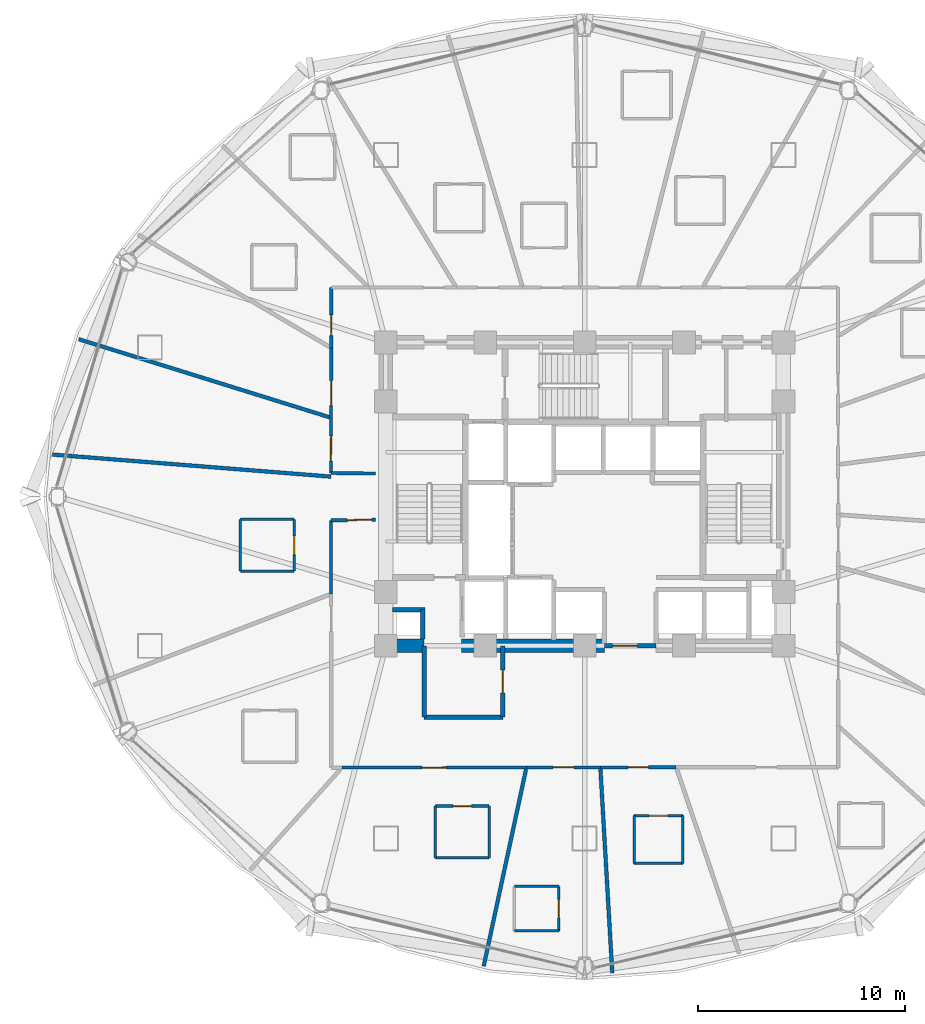
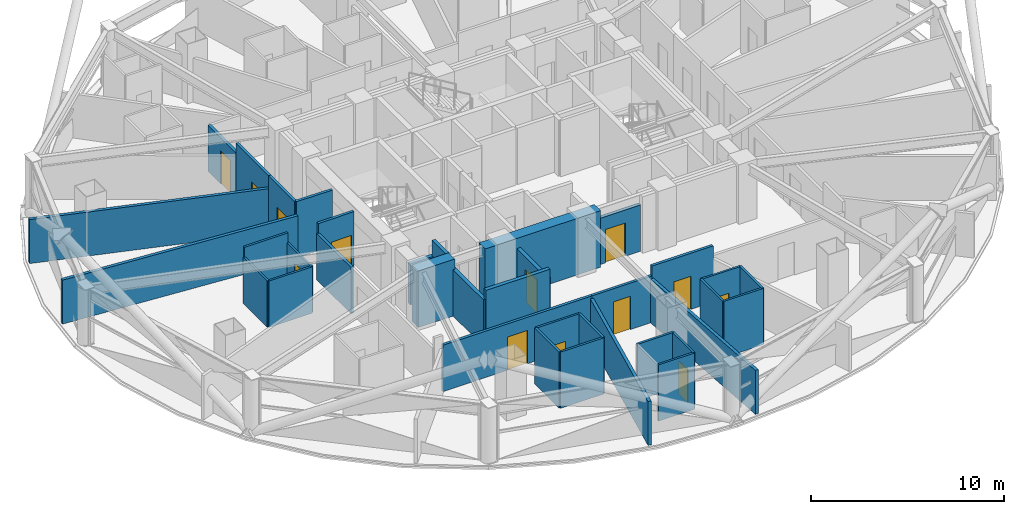
# One storey, part 23 of 31: 36 walls, 13 doors, 13 openings.
"""IFC4 building model written with IfcOpenShell, lengths in metres."""

from ifc_helpers import new_model, si_unit, direction, frame, frame_2d, origin, place, context, subcontext, project, spatial, rectangle, extrude, material, layer, layer_set, type_object, element, fill, save


model = new_model("IFC4")

# Units and contexts
model_context = context("Model", 3, precision=1e-05, world=origin(), true_north=direction((0.0, 1.0)))
body_context = subcontext(model_context, "Body", "Model", "MODEL_VIEW")
ifc_project = project(units=[si_unit("LENGTHUNIT", "METRE"), si_unit("AREAUNIT", "SQUARE_METRE"), si_unit("VOLUMEUNIT", "CUBIC_METRE"), si_unit("PLANEANGLEUNIT", "RADIAN"), si_unit("MASSUNIT", "GRAM", prefix="KILO")], contexts=[model_context])

# Site, building, storey
site_placement = place(None, origin())
site = spatial("IfcSite", under=ifc_project, at=site_placement, CompositionType="ELEMENT")
building_placement = place(site_placement, origin())
building = spatial("IfcBuilding", under=site, at=building_placement, Name="Vantalir Tower", CompositionType="ELEMENT")
storey_placement = place(building_placement, frame((0.0, 0.0, 34.5)))
storey = spatial("IfcBuildingStorey", under=building, at=storey_placement, Name="L07", CompositionType="ELEMENT", Elevation=34.5)

# Walls
ifc_material_1 = material(Name="Moisture-resistant en-suite partition", Category="gypsum")
ifc_layer_1 = layer(ifc_material_1, 0.125)
ifc_layer_set_1 = layer_set([ifc_layer_1], Name="Moisture-resistant en-suite partition")
wall_type_1 = type_object("IfcWallType", Name="WL-BATH-125", PredefinedType="PARTITIONING", material=ifc_layer_set_1)
wall_1_placement = place(storey_placement, frame((14.8759765625, 21.406982421875, 0.0), z_axis=(0.0, 0.0, 1.0), x_axis=(1.0, 0.0, 0.0)))
element("IfcWall", 1, at=wall_1_placement, inside=storey, type_object=wall_type_1, Name="L07 En-suite 13 South Wall", PredefinedType="PARTITIONING", context=body_context, shape_type="SweptSolid", body=[
    extrude(rectangle(XDim=2.60009765625, YDim=0.125, at=frame_2d((1.300048828125, 0.0))), origin(), (0.0, 0.0, 1.0), 2.927978515625),
])
wall_2_placement = place(storey_placement, frame((14.8759765625, 23.906982421875, 0.0), z_axis=(0.0, 0.0, 1.0), x_axis=(1.0, 0.0, 0.0)))
element("IfcWall", 2, at=wall_2_placement, inside=storey, type_object=wall_type_1, Name="L07 En-suite 13 North Wall", PredefinedType="PARTITIONING", context=body_context, shape_type="SweptSolid", body=[
    extrude(rectangle(XDim=2.60009765625, YDim=0.125, at=frame_2d((1.300048828125, 0.0))), origin(), (0.0, 0.0, 1.0), 3.550048828125),
])
wall_3_placement = place(storey_placement, frame((14.8759765625, 21.406982421875, 0.0), z_axis=(0.0, 0.0, 1.0), x_axis=(0.0, 1.0, 0.0)))
element("IfcWall", 3, at=wall_3_placement, inside=storey, type_object=wall_type_1, Name="L07 En-suite 13 West Wall", PredefinedType="PARTITIONING", context=body_context, shape_type="SweptSolid", body=[
    extrude(rectangle(XDim=2.5, YDim=0.125, at=frame_2d((1.25, 0.0))), origin(), (0.0, 0.0, 1.0), 2.927978515625),
])

# Wall, opening, door
wall_4_placement = place(storey_placement, frame((17.47607421875, 21.406982421875, 0.0), z_axis=(0.0, 0.0, 1.0), x_axis=(0.0, 1.0, 0.0)))
wall_4 = element("IfcWall", 4, at=wall_4_placement, inside=storey, type_object=wall_type_1, Name="L07 En-suite 13 East Wall", PredefinedType="PARTITIONING", context=body_context, shape_type="SweptSolid", body=[
    extrude(rectangle(XDim=2.5, YDim=0.125, at=frame_2d((1.25, 0.0))), origin(), (0.0, 0.0, 1.0), 2.927978515625),
])
opening_1_placement = place(wall_4_placement, frame((0.800048828125, 0.0, 0.0)))
opening_1 = element("IfcOpeningElement", 5, at=opening_1_placement, cuts=wall_4, Name="Opening D-WC", PredefinedType="OPENING", context=body_context, shape_type="SweptSolid", body=[
    extrude(rectangle(XDim=0.89990234375, YDim=2.10009765625, at=frame_2d((0.449951171875, 1.050048828125))), frame((0.0, 0.072509765625, 0.0), z_axis=(0.0, -1.0, 0.0), x_axis=(1.0, 0.0, 0.0)), (0.0, 0.0, 1.0), 0.14501953125),
])
ifc_material_2 = material(Name="Moisture-resistant hardwood door", Category="wood")
door_type_1 = type_object("IfcDoorType", Name="DR-ENSUITE-900", OperationType="NOTDEFINED", PredefinedType="DOOR", material=ifc_material_2)
door_1_placement = place(opening_1_placement, origin())
door_1 = element("IfcDoor", 6, at=door_1_placement, inside=storey, type_object=door_type_1, Name="L07 En-suite 13 Door", OperationType="SINGLE_SWING_LEFT", OverallHeight=2.10009765625, OverallWidth=0.89990234375, PredefinedType="DOOR", context=body_context, shape_type="SweptSolid", body=[
    extrude(rectangle(XDim=0.89990234375, YDim=2.10009765625, at=frame_2d((0.449951171875, 1.050048828125))), frame((0.0, 0.02490234375, 0.0), z_axis=(0.0, -1.0, 0.0), x_axis=(1.0, 0.0, 0.0)), (0.0, 0.0, 1.0), 0.050048828125),
])
fill(opening_1, door_1)

# Wall
wall_5_placement = place(storey_placement, frame((24.291015625, 7.56103515625, 0.0), z_axis=(0.0, 0.0, 1.0), x_axis=(1.0, 0.0, 0.0)))
element("IfcWall", 7, at=wall_5_placement, inside=storey, type_object=wall_type_1, Name="L07 En-suite 15 South Wall", PredefinedType="PARTITIONING", context=body_context, shape_type="SweptSolid", body=[
    extrude(rectangle(XDim=2.60009765625, YDim=0.125, at=frame_2d((1.300048828125, 0.0))), origin(), (0.0, 0.0, 1.0), 3.550048828125),
])

# Wall, opening, door
wall_6_placement = place(storey_placement, frame((24.291015625, 10.06103515625, 0.0), z_axis=(0.0, 0.0, 1.0), x_axis=(1.0, 0.0, 0.0)))
wall_6 = element("IfcWall", 8, at=wall_6_placement, inside=storey, type_object=wall_type_1, Name="L07 En-suite 15 North Wall", PredefinedType="PARTITIONING", context=body_context, shape_type="SweptSolid", body=[
    extrude(rectangle(XDim=2.60009765625, YDim=0.125, at=frame_2d((1.300048828125, 0.0))), origin(), (0.0, 0.0, 1.0), 3.550048828125),
])
opening_2_placement = place(wall_6_placement, frame((0.85009765625, 0.0, 0.0)))
opening_2 = element("IfcOpeningElement", 9, at=opening_2_placement, cuts=wall_6, Name="Opening D-WC", PredefinedType="OPENING", context=body_context, shape_type="SweptSolid", body=[
    extrude(rectangle(XDim=0.89990234375, YDim=2.10009765625, at=frame_2d((0.449951171875, 1.050048828125))), frame((0.0, 0.072509765625, 0.0), z_axis=(0.0, -1.0, 0.0), x_axis=(1.0, 0.0, 0.0)), (0.0, 0.0, 1.0), 0.14501953125),
])
door_2_placement = place(opening_2_placement, frame((0.89990234375, 0.0, 0.0), z_axis=(0.0, 0.0, 1.0), x_axis=(-1.0, 0.0, 0.0)))
door_2 = element("IfcDoor", 10, at=door_2_placement, inside=storey, type_object=door_type_1, Name="L07 En-suite 15 Door", OperationType="SINGLE_SWING_LEFT", OverallHeight=2.10009765625, OverallWidth=0.89990234375, PredefinedType="DOOR", context=body_context, shape_type="SweptSolid", body=[
    extrude(rectangle(XDim=0.89990234375, YDim=2.10009765625, at=frame_2d((0.449951171875, 1.050048828125))), frame((0.0, 0.02490234375, 0.0), z_axis=(0.0, -1.0, 0.0), x_axis=(1.0, 0.0, 0.0)), (0.0, 0.0, 1.0), 0.050048828125),
])
fill(opening_2, door_2)

# Walls
for number, where, z_axis, x_axis, name in (
    (11, (24.291015625, 7.56103515625, 0.0), (0.0, 0.0, 1.0), (0.0, 1.0, 0.0), "L07 En-suite 15 West Wall"),
    (12, (26.89111328125, 7.56103515625, 0.0), (0.0, 0.0, 1.0), (0.0, 1.0, 0.0), "L07 En-suite 15 East Wall"),
):
    element("IfcWall", number, at=place(storey_placement, frame(where, z_axis=z_axis, x_axis=x_axis)), inside=storey, type_object=wall_type_1, Name=name, PredefinedType="PARTITIONING", context=body_context, shape_type="SweptSolid", body=[
        extrude(rectangle(XDim=2.5, YDim=0.125, at=frame_2d((1.25, 0.0))), origin(), (0.0, 0.0, 1.0), 3.550048828125),
    ])
for number, where, z_axis, x_axis, name in (
    (13, (28.10009765625, 4.030029296875, 0.0), (0.0, 0.0, 1.0), (1.0, 0.0, 0.0), "L07 En-suite 16 South Wall"),
    (14, (28.10009765625, 6.179931640625, 0.0), (0.0, 0.0, 1.0), (1.0, 0.0, 0.0), "L07 En-suite 16 North Wall"),
):
    element("IfcWall", number, at=place(storey_placement, frame(where, z_axis=z_axis, x_axis=x_axis)), inside=storey, type_object=wall_type_1, Name=name, PredefinedType="PARTITIONING", context=body_context, shape_type="SweptSolid", body=[
        extrude(rectangle(XDim=2.14990234375, YDim=0.125, at=frame_2d((1.074951171875, 0.0))), origin(), (0.0, 0.0, 1.0), 3.550048828125),
    ])

# Wall, opening, door
wall_7_placement = place(storey_placement, frame((30.25, 4.030029296875, 0.0), z_axis=(0.0, 0.0, 1.0), x_axis=(0.0, 1.0, 0.0)))
wall_7 = element("IfcWall", 15, at=wall_7_placement, inside=storey, type_object=wall_type_1, Name="L07 En-suite 16 East Wall", PredefinedType="PARTITIONING", context=body_context, shape_type="SweptSolid", body=[
    extrude(rectangle(XDim=2.14990234375, YDim=0.125, at=frame_2d((1.074951171875, 0.0))), origin(), (0.0, 0.0, 1.0), 3.550048828125),
])
opening_3_placement = place(wall_7_placement, frame((0.625, 0.0, 0.0)))
opening_3 = element("IfcOpeningElement", 16, at=opening_3_placement, cuts=wall_7, Name="Opening D-WC", PredefinedType="OPENING", context=body_context, shape_type="SweptSolid", body=[
    extrude(rectangle(XDim=0.89990234375, YDim=2.10009765625, at=frame_2d((0.449951171875, 1.050048828125))), frame((0.0, 0.072509765625, 0.0), z_axis=(0.0, -1.0, 0.0), x_axis=(1.0, 0.0, 0.0)), (0.0, 0.0, 1.0), 0.14501953125),
])
door_3_placement = place(opening_3_placement, origin())
door_3 = element("IfcDoor", 17, at=door_3_placement, inside=storey, type_object=door_type_1, Name="L07 En-suite 16 Door", OperationType="SINGLE_SWING_RIGHT", OverallHeight=2.10009765625, OverallWidth=0.89990234375, PredefinedType="DOOR", context=body_context, shape_type="SweptSolid", body=[
    extrude(rectangle(XDim=0.89990234375, YDim=2.10009765625, at=frame_2d((0.449951171875, 1.050048828125))), frame((0.0, 0.02490234375, 0.0), z_axis=(0.0, -1.0, 0.0), x_axis=(1.0, 0.0, 0.0)), (0.0, 0.0, 1.0), 0.050048828125),
])
fill(opening_3, door_3)

# Wall
wall_8_placement = place(storey_placement, frame((33.889892578125, 7.29296875, 0.0), z_axis=(0.0, 0.0, 1.0), x_axis=(1.0, 0.0, 0.0)))
element("IfcWall", 18, at=wall_8_placement, inside=storey, type_object=wall_type_1, Name="L07 En-suite 17 South Wall", PredefinedType="PARTITIONING", context=body_context, shape_type="SweptSolid", body=[
    extrude(rectangle(XDim=2.35009765625, YDim=0.125, at=frame_2d((1.175048828125, 0.0))), origin(), (0.0, 0.0, 1.0), 3.550048828125),
])

# Wall, opening, door
wall_9_placement = place(storey_placement, frame((33.889892578125, 9.593017578125, 0.0), z_axis=(0.0, 0.0, 1.0), x_axis=(1.0, 0.0, 0.0)))
wall_9 = element("IfcWall", 19, at=wall_9_placement, inside=storey, type_object=wall_type_1, Name="L07 En-suite 17 North Wall", PredefinedType="PARTITIONING", context=body_context, shape_type="SweptSolid", body=[
    extrude(rectangle(XDim=2.35009765625, YDim=0.125, at=frame_2d((1.175048828125, 0.0))), origin(), (0.0, 0.0, 1.0), 3.550048828125),
])
opening_4_placement = place(wall_9_placement, frame((0.72509765625, 0.0, 0.0)))
opening_4 = element("IfcOpeningElement", 20, at=opening_4_placement, cuts=wall_9, Name="Opening D-WC", PredefinedType="OPENING", context=body_context, shape_type="SweptSolid", body=[
    extrude(rectangle(XDim=0.89990234375, YDim=2.10009765625, at=frame_2d((0.449951171875, 1.050048828125))), frame((0.0, 0.072509765625, 0.0), z_axis=(0.0, -1.0, 0.0), x_axis=(1.0, 0.0, 0.0)), (0.0, 0.0, 1.0), 0.14501953125),
])
door_4_placement = place(opening_4_placement, frame((0.89990234375, 0.0, 0.0), z_axis=(0.0, 0.0, 1.0), x_axis=(-1.0, 0.0, 0.0)))
door_4 = element("IfcDoor", 21, at=door_4_placement, inside=storey, type_object=door_type_1, Name="L07 En-suite 17 Door", OperationType="SINGLE_SWING_LEFT", OverallHeight=2.10009765625, OverallWidth=0.89990234375, PredefinedType="DOOR", context=body_context, shape_type="SweptSolid", body=[
    extrude(rectangle(XDim=0.89990234375, YDim=2.10009765625, at=frame_2d((0.449951171875, 1.050048828125))), frame((0.0, 0.02490234375, 0.0), z_axis=(0.0, -1.0, 0.0), x_axis=(1.0, 0.0, 0.0)), (0.0, 0.0, 1.0), 0.050048828125),
])
fill(opening_4, door_4)

# Walls
for number, where, z_axis, x_axis, name in (
    (22, (33.889892578125, 7.29296875, 0.0), (0.0, 0.0, 1.0), (0.0, 1.0, 0.0), "L07 En-suite 17 West Wall"),
    (23, (36.239990234375, 7.29296875, 0.0), (0.0, 0.0, 1.0), (0.0, 1.0, 0.0), "L07 En-suite 17 East Wall"),
):
    element("IfcWall", number, at=place(storey_placement, frame(where, z_axis=z_axis, x_axis=x_axis)), inside=storey, type_object=wall_type_1, Name=name, PredefinedType="PARTITIONING", context=body_context, shape_type="SweptSolid", body=[
        extrude(rectangle(XDim=2.300048828125, YDim=0.125, at=frame_2d((1.14990234375, 0.0))), origin(), (0.0, 0.0, 1.0), 3.550048828125),
    ])
ifc_material_3 = material(Name="Concrete C60/75", Category="concrete")
ifc_layer_2 = layer(ifc_material_3, 0.64990234375)
ifc_layer_set_2 = layer_set([ifc_layer_2], Name="Concrete C60/75")
wall_type_2 = type_object("IfcWallType", Name="WL-CORE-650", PredefinedType="SHEAR", material=ifc_layer_set_2)
wall_10_placement = place(storey_placement, frame((21.574951171875, 17.800048828125, 0.0), z_axis=(0.0, 0.0, 1.0), x_axis=(1.0, 0.0, 0.0)))
element("IfcWall", 24, at=wall_10_placement, inside=storey, type_object=wall_type_2, Name="L07 Core Shear Wall South-West", PredefinedType="SHEAR", context=body_context, shape_type="SweptSolid", body=[
    extrude(rectangle(XDim=2.175048828125, YDim=0.64990234375, at=frame_2d((1.08740234375, 0.0))), origin(), (0.0, 0.0, 1.0), 3.570068359375),
])
wall_11_placement = place(storey_placement, frame((25.550048828125, 17.800048828125, 0.0), z_axis=(0.0, 0.0, 1.0), x_axis=(1.0, 0.0, 0.0)))
element("IfcWall", 25, at=wall_11_placement, inside=storey, type_object=wall_type_2, Name="L07 Core Shear Wall South-Mid", PredefinedType="SHEAR", context=body_context, shape_type="SweptSolid", body=[
    extrude(rectangle(XDim=6.89990234375, YDim=0.64990234375, at=frame_2d((3.449951171875, 0.0))), origin(), (0.0, 0.0, 1.0), 3.570068359375),
])
ifc_material_4 = material(Name="Fire-rated hotel corridor acoustic partition", Category="gypsum")
ifc_layer_3 = layer(ifc_material_4, 0.159912109375)
ifc_layer_set_3 = layer_set([ifc_layer_3], Name="Fire-rated hotel corridor acoustic partition")
wall_type_3 = type_object("IfcWallType", Name="WL-CORR-160", PredefinedType="PARTITIONING", material=ifc_layer_set_3)
wall_12_placement = place(storey_placement, frame((21.39501953125, 26.116943359375, 0.0), z_axis=(0.0, 0.0, 1.0), x_axis=(-0.999931415362, 0.011711727972, 0.0)))
element("IfcWall", 26, at=wall_12_placement, inside=storey, type_object=wall_type_3, Name="L07 Corridor Partition 01", PredefinedType="PARTITIONING", context=body_context, shape_type="SweptSolid", body=[
    extrude(rectangle(XDim=2.147216796875, YDim=0.159912109375, at=frame_2d((1.07373046875, 0.0))), origin(), (0.0, 0.0, 1.0), 3.550048828125),
])

# Wall, opening, door
wall_13_placement = place(storey_placement, frame((19.248046875, 26.14208984375, 0.0), z_axis=(0.0, 0.0, 1.0), x_axis=(0.002195384391, 0.999997590141, 0.0)))
wall_13 = element("IfcWall", 27, at=wall_13_placement, inside=storey, type_object=wall_type_3, Name="L07 Corridor Partition 02", PredefinedType="PARTITIONING", context=body_context, shape_type="SweptSolid", body=[
    extrude(rectangle(XDim=2.6689453125, YDim=0.159912109375, at=frame_2d((1.33447265625, 0.0))), origin(), (0.0, 0.0, 1.0), 3.550048828125),
])
opening_5_placement = place(wall_13_placement, frame((0.591064453125, 0.0, 0.0)))
opening_5 = element("IfcOpeningElement", 28, at=opening_5_placement, cuts=wall_13, Name="Opening D-STE", PredefinedType="OPENING", context=body_context, shape_type="SweptSolid", body=[
    extrude(rectangle(XDim=1.199951171875, YDim=2.10009765625, at=frame_2d((0.60009765625, 1.050048828125))), frame((0.0, 0.08984375, 0.0), z_axis=(0.0, -1.0, 0.0), x_axis=(1.0, 0.0, 0.0)), (0.0, 0.0, 1.0), 0.179931640625),
])
ifc_material_5 = material(Name="Solid-core teak veneer suite entrance door", Category="wood")
door_type_2 = type_object("IfcDoorType", Name="DR-SUITE-ENTRY-1200", OperationType="NOTDEFINED", PredefinedType="DOOR", material=ifc_material_5)
door_5_placement = place(opening_5_placement, origin())
door_5 = element("IfcDoor", 29, at=door_5_placement, inside=storey, type_object=door_type_2, Name="L07 Executive Sky Boardroom 12 Door", OperationType="SINGLE_SWING_RIGHT", OverallHeight=2.10009765625, OverallWidth=1.199951171875, PredefinedType="DOOR", context=body_context, shape_type="SweptSolid", body=[
    extrude(rectangle(XDim=1.199951171875, YDim=2.10009765625, at=frame_2d((0.60009765625, 1.050048828125))), frame((0.0, 0.02490234375, 0.0), z_axis=(0.0, -1.0, 0.0), x_axis=(1.0, 0.0, 0.0)), (0.0, 0.0, 1.0), 0.050048828125),
])
fill(opening_5, door_5)

wall_14_placement = place(storey_placement, frame((19.25390625, 28.81103515625, 0.0), z_axis=(0.0, 0.0, 1.0), x_axis=(0.002388528218, 0.999997147462, 0.0)))
wall_14 = element("IfcWall", 30, at=wall_14_placement, inside=storey, type_object=wall_type_3, Name="L07 Corridor Partition 03", PredefinedType="PARTITIONING", context=body_context, shape_type="SweptSolid", body=[
    extrude(rectangle(XDim=3.373046875, YDim=0.159912109375, at=frame_2d((1.6865234375, 0.0))), origin(), (0.0, 0.0, 1.0), 3.550048828125),
])
opening_6_placement = place(wall_14_placement, frame((0.587890625, 0.0, 0.0)))
opening_6 = element("IfcOpeningElement", 31, at=opening_6_placement, cuts=wall_14, Name="Opening D-STE", PredefinedType="OPENING", context=body_context, shape_type="SweptSolid", body=[
    extrude(rectangle(XDim=1.199951171875, YDim=2.10009765625, at=frame_2d((0.60009765625, 1.050048828125))), frame((0.0, 0.08984375, 0.0), z_axis=(0.0, -1.0, 0.0), x_axis=(1.0, 0.0, 0.0)), (0.0, 0.0, 1.0), 0.179931640625),
])
door_6_placement = place(opening_6_placement, origin())
door_6 = element("IfcDoor", 32, at=door_6_placement, inside=storey, type_object=door_type_2, Name="L07 Club Reading Lounge 11 Door", OperationType="SINGLE_SWING_LEFT", OverallHeight=2.10009765625, OverallWidth=1.199951171875, PredefinedType="DOOR", context=body_context, shape_type="SweptSolid", body=[
    extrude(rectangle(XDim=1.199951171875, YDim=2.10009765625, at=frame_2d((0.60009765625, 1.050048828125))), frame((0.0, 0.02490234375, 0.0), z_axis=(0.0, -1.0, 0.0), x_axis=(1.0, 0.0, 0.0)), (0.0, 0.0, 1.0), 0.050048828125),
])
fill(opening_6, door_6)

wall_15_placement = place(storey_placement, frame((19.261962890625, 32.18408203125, 0.0), z_axis=(0.0, 0.0, 1.0), x_axis=(0.002429821063, 0.99999704798, 0.0)))
wall_15 = element("IfcWall", 33, at=wall_15_placement, inside=storey, type_object=wall_type_3, Name="L07 Corridor Partition 04", PredefinedType="PARTITIONING", context=body_context, shape_type="SweptSolid", body=[
    extrude(rectangle(XDim=2.913818359375, YDim=0.159912109375, at=frame_2d((1.45703125, 0.0))), origin(), (0.0, 0.0, 1.0), 2.927978515625),
])
opening_7_placement = place(wall_15_placement, frame((0.594970703125, 0.0, 0.0)))
opening_7 = element("IfcOpeningElement", 34, at=opening_7_placement, cuts=wall_15, Name="Opening D-GUEST", PredefinedType="OPENING", context=body_context, shape_type="SweptSolid", body=[
    extrude(rectangle(XDim=1.0, YDim=2.10009765625, at=frame_2d((0.5, 1.050048828125))), frame((0.0, 0.08984375, 0.0), z_axis=(0.0, -1.0, 0.0), x_axis=(1.0, 0.0, 0.0)), (0.0, 0.0, 1.0), 0.179931640625),
])
ifc_material_6 = material(Name="Solid-core teak veneer acoustic fire door", Category="wood")
door_type_3 = type_object("IfcDoorType", Name="DR-GUEST-ENTRY-1000", OperationType="NOTDEFINED", PredefinedType="DOOR", material=ifc_material_6)
door_7_placement = place(opening_7_placement, origin())
door_7 = element("IfcDoor", 35, at=door_7_placement, inside=storey, type_object=door_type_3, Name="L07 Deluxe King Hotel Room 10 Door", OperationType="SINGLE_SWING_RIGHT", OverallHeight=2.10009765625, OverallWidth=1.0, PredefinedType="DOOR", context=body_context, shape_type="SweptSolid", body=[
    extrude(rectangle(XDim=1.0, YDim=2.10009765625, at=frame_2d((0.5, 1.050048828125))), frame((0.0, 0.02490234375, 0.0), z_axis=(0.0, -1.0, 0.0), x_axis=(1.0, 0.0, 0.0)), (0.0, 0.0, 1.0), 0.050048828125),
])
fill(opening_7, door_7)

wall_16_placement = place(storey_placement, frame((35.9208984375, 11.927978515625, 0.0), z_axis=(0.0, 0.0, 1.0), x_axis=(-0.999999857835, -0.000533226612, 0.0)))
wall_16 = element("IfcWall", 36, at=wall_16_placement, inside=storey, type_object=wall_type_3, Name="L07 Corridor Partition 22", PredefinedType="PARTITIONING", context=body_context, shape_type="SweptSolid", body=[
    extrude(rectangle(XDim=3.662841796875, YDim=0.159912109375, at=frame_2d((1.83154296875, 0.0))), origin(), (0.0, 0.0, 1.0), 3.550048828125),
])
opening_8_placement = place(wall_16_placement, frame((1.33203125, 0.0, 0.0)))
opening_8 = element("IfcOpeningElement", 37, at=opening_8_placement, cuts=wall_16, Name="Opening D-GUEST", PredefinedType="OPENING", context=body_context, shape_type="SweptSolid", body=[
    extrude(rectangle(XDim=1.0, YDim=2.10009765625, at=frame_2d((0.5, 1.050048828125))), frame((0.0, 0.08984375, 0.0), z_axis=(0.0, -1.0, 0.0), x_axis=(1.0, 0.0, 0.0)), (0.0, 0.0, 1.0), 0.179931640625),
])
door_8_placement = place(opening_8_placement, origin())
door_8 = element("IfcDoor", 38, at=door_8_placement, inside=storey, type_object=door_type_3, Name="L07 Twin Queen Hotel Room 17 Door", OperationType="SINGLE_SWING_LEFT", OverallHeight=2.10009765625, OverallWidth=1.0, PredefinedType="DOOR", context=body_context, shape_type="SweptSolid", body=[
    extrude(rectangle(XDim=1.0, YDim=2.10009765625, at=frame_2d((0.5, 1.050048828125))), frame((0.0, 0.02490234375, 0.0), z_axis=(0.0, -1.0, 0.0), x_axis=(1.0, 0.0, 0.0)), (0.0, 0.0, 1.0), 0.050048828125),
])
fill(opening_8, door_8)

wall_17_placement = place(storey_placement, frame((32.258056640625, 11.926025390625, 0.0), z_axis=(0.0, 0.0, 1.0), x_axis=(-0.99999985035, -0.00054708328, 0.0)))
wall_17 = element("IfcWall", 39, at=wall_17_placement, inside=storey, type_object=wall_type_3, Name="L07 Corridor Partition 23", PredefinedType="PARTITIONING", context=body_context, shape_type="SweptSolid", body=[
    extrude(rectangle(XDim=3.570068359375, YDim=0.159912109375, at=frame_2d((1.78515625, 0.0))), origin(), (0.0, 0.0, 1.0), 2.927978515625),
])
opening_9_placement = place(wall_17_placement, frame((1.284912109375, 0.0, 0.0)))
opening_9 = element("IfcOpeningElement", 40, at=opening_9_placement, cuts=wall_17, Name="Opening D-GUEST", PredefinedType="OPENING", context=body_context, shape_type="SweptSolid", body=[
    extrude(rectangle(XDim=1.0, YDim=2.10009765625, at=frame_2d((0.5, 1.050048828125))), frame((0.0, 0.08984375, 0.0), z_axis=(0.0, -1.0, 0.0), x_axis=(1.0, 0.0, 0.0)), (0.0, 0.0, 1.0), 0.179931640625),
])
door_9_placement = place(opening_9_placement, origin())
door_9 = element("IfcDoor", 41, at=door_9_placement, inside=storey, type_object=door_type_3, Name="L07 Deluxe King Hotel Room 16 Door", OperationType="SINGLE_SWING_RIGHT", OverallHeight=2.10009765625, OverallWidth=1.0, PredefinedType="DOOR", context=body_context, shape_type="SweptSolid", body=[
    extrude(rectangle(XDim=1.0, YDim=2.10009765625, at=frame_2d((0.5, 1.050048828125))), frame((0.0, 0.02490234375, 0.0), z_axis=(0.0, -1.0, 0.0), x_axis=(1.0, 0.0, 0.0)), (0.0, 0.0, 1.0), 0.050048828125),
])
fill(opening_9, door_9)

wall_18_placement = place(storey_placement, frame((28.68798828125, 11.924072265625, 0.0), z_axis=(0.0, 0.0, 1.0), x_axis=(-0.999999765267, -0.000685175381, 0.0)))
wall_18 = element("IfcWall", 42, at=wall_18_placement, inside=storey, type_object=wall_type_3, Name="L07 Corridor Partition 24", PredefinedType="PARTITIONING", context=body_context, shape_type="SweptSolid", body=[
    extrude(rectangle(XDim=8.907958984375, YDim=0.159912109375, at=frame_2d((4.4541015625, 0.0))), origin(), (0.0, 0.0, 1.0), 2.927978515625),
])
opening_10_placement = place(wall_18_placement, frame((3.85400390625, 0.0, 0.0)))
opening_10 = element("IfcOpeningElement", 43, at=opening_10_placement, cuts=wall_18, Name="Opening D-STE", PredefinedType="OPENING", context=body_context, shape_type="SweptSolid", body=[
    extrude(rectangle(XDim=1.199951171875, YDim=2.10009765625, at=frame_2d((0.60009765625, 1.050048828125))), frame((0.0, 0.08984375, 0.0), z_axis=(0.0, -1.0, 0.0), x_axis=(1.0, 0.0, 0.0)), (0.0, 0.0, 1.0), 0.179931640625),
])
door_10_placement = place(opening_10_placement, origin())
door_10 = element("IfcDoor", 44, at=door_10_placement, inside=storey, type_object=door_type_2, Name="L07 Corner Panorama Hotel Suite 15 Door", OperationType="SINGLE_SWING_LEFT", OverallHeight=2.10009765625, OverallWidth=1.199951171875, PredefinedType="DOOR", context=body_context, shape_type="SweptSolid", body=[
    extrude(rectangle(XDim=1.199951171875, YDim=2.10009765625, at=frame_2d((0.60009765625, 1.050048828125))), frame((0.0, 0.02490234375, 0.0), z_axis=(0.0, -1.0, 0.0), x_axis=(1.0, 0.0, 0.0)), (0.0, 0.0, 1.0), 0.050048828125),
])
fill(opening_10, door_10)

# Wall
wall_19_placement = place(storey_placement, frame((19.25390625, 20.301025390625, 0.0), z_axis=(0.0, 0.0, 1.0), x_axis=(-0.001647331144, 0.999998643149, 0.0)))
element("IfcWall", 45, at=wall_19_placement, inside=storey, type_object=wall_type_3, Name="L07 Corridor Partition 27", PredefinedType="PARTITIONING", context=body_context, shape_type="SweptSolid", body=[
    extrude(rectangle(XDim=3.556884765625, YDim=0.159912109375, at=frame_2d((1.7783203125, 0.0))), origin(), (0.0, 0.0, 1.0), 2.927978515625),
])

# Wall, opening, door
wall_20_placement = place(storey_placement, frame((19.248046875, 23.85791015625, 0.0), z_axis=(0.0, 0.0, 1.0), x_axis=(0.999908455688, 0.013530714831, 0.0)))
wall_20 = element("IfcWall", 46, at=wall_20_placement, inside=storey, type_object=wall_type_3, Name="L07 Corridor Partition 28", PredefinedType="PARTITIONING", context=body_context, shape_type="SweptSolid", body=[
    extrude(rectangle(XDim=2.147216796875, YDim=0.159912109375, at=frame_2d((1.07373046875, 0.0))), origin(), (0.0, 0.0, 1.0), 3.550048828125),
])
opening_11_placement = place(wall_20_placement, frame((0.787109375, 0.0, 0.0)))
opening_11 = element("IfcOpeningElement", 47, at=opening_11_placement, cuts=wall_20, Name="Opening D-STE", PredefinedType="OPENING", context=body_context, shape_type="SweptSolid", body=[
    extrude(rectangle(XDim=1.199951171875, YDim=2.10009765625, at=frame_2d((0.60009765625, 1.050048828125))), frame((0.0, 0.08984375, 0.0), z_axis=(0.0, -1.0, 0.0), x_axis=(1.0, 0.0, 0.0)), (0.0, 0.0, 1.0), 0.179931640625),
])
door_11_placement = place(opening_11_placement, origin())
door_11 = element("IfcDoor", 48, at=door_11_placement, inside=storey, type_object=door_type_2, Name="L07 Corner Panorama Hotel Suite 13 Door", OperationType="SINGLE_SWING_LEFT", OverallHeight=2.10009765625, OverallWidth=1.199951171875, PredefinedType="DOOR", context=body_context, shape_type="SweptSolid", body=[
    extrude(rectangle(XDim=1.199951171875, YDim=2.10009765625, at=frame_2d((0.60009765625, 1.050048828125))), frame((0.0, 0.02490234375, 0.0), z_axis=(0.0, -1.0, 0.0), x_axis=(1.0, 0.0, 0.0)), (0.0, 0.0, 1.0), 0.050048828125),
])
fill(opening_11, door_11)

ifc_material_7 = material(Name="Concrete blockwork with fireboard lining", Category="masonry")
ifc_layer_4 = layer(ifc_material_7, 0.219970703125)
ifc_layer_set_4 = layer_set([ifc_layer_4], Name="Concrete blockwork with fireboard lining")
wall_type_4 = type_object("IfcWallType", Name="WL-FFL-220", PredefinedType="PARTITIONING", material=ifc_layer_set_4)
wall_21_placement = place(storey_placement, frame((32.449951171875, 17.800048828125, 0.0), z_axis=(0.0, 0.0, 1.0), x_axis=(1.0, 0.0, 0.0)))
wall_21 = element("IfcWall", 49, at=wall_21_placement, inside=storey, type_object=wall_type_4, Name="L07 Passenger Lift Lobby South Wall", PredefinedType="PARTITIONING", context=body_context, shape_type="SweptSolid", body=[
    extrude(rectangle(XDim=2.5, YDim=0.219970703125, at=frame_2d((1.25, 0.0))), origin(), (0.0, 0.0, 1.0), 2.927978515625),
])
opening_12_placement = place(wall_21_placement, frame((0.39990234375, 0.0, 0.0)))
opening_12 = element("IfcOpeningElement", 50, at=opening_12_placement, cuts=wall_21, Name="Opening D-STE", PredefinedType="OPENING", context=body_context, shape_type="SweptSolid", body=[
    extrude(rectangle(XDim=1.199951171875, YDim=2.10009765625, at=frame_2d((0.60009765625, 1.050048828125))), frame((0.0, 0.119873046875, 0.0), z_axis=(0.0, -1.0, 0.0), x_axis=(1.0, 0.0, 0.0)), (0.0, 0.0, 1.0), 0.239990234375),
])
door_12_placement = place(opening_12_placement, origin())
door_12 = element("IfcDoor", 51, at=door_12_placement, inside=storey, type_object=door_type_2, Name="L07 Passenger Lift Lobby Concourse Door", OperationType="SINGLE_SWING_RIGHT", OverallHeight=2.10009765625, OverallWidth=1.199951171875, PredefinedType="DOOR", context=body_context, shape_type="SweptSolid", body=[
    extrude(rectangle(XDim=1.199951171875, YDim=2.10009765625, at=frame_2d((0.60009765625, 1.050048828125))), frame((0.0, 0.02490234375, 0.0), z_axis=(0.0, -1.0, 0.0), x_axis=(1.0, 0.0, 0.0)), (0.0, 0.0, 1.0), 0.050048828125),
])
fill(opening_12, door_12)

# Walls
wall_22_placement = place(storey_placement, frame((23.679931640625, 18.125, 0.0), z_axis=(0.0, 0.0, 1.0), x_axis=(0.0, 1.0, 0.0)))
element("IfcWall", 52, at=wall_22_placement, inside=storey, type_object=wall_type_4, Name="L07 West MEP Riser Wall E", PredefinedType="PARTITIONING", context=body_context, shape_type="SweptSolid", body=[
    extrude(rectangle(XDim=1.425048828125, YDim=0.219970703125, at=frame_2d((0.71240234375, 0.0))), origin(), (0.0, 0.0, 1.0), 3.550048828125),
])
wall_23_placement = place(storey_placement, frame((22.22509765625, 19.550048828125, 0.0), z_axis=(0.0, 0.0, 1.0), x_axis=(1.0, 0.0, 0.0)))
element("IfcWall", 53, at=wall_23_placement, inside=storey, type_object=wall_type_4, Name="L07 West MEP Riser Wall N", PredefinedType="PARTITIONING", context=body_context, shape_type="SweptSolid", body=[
    extrude(rectangle(XDim=1.56494140625, YDim=0.219970703125, at=frame_2d((0.782470703125, 0.0))), origin(), (0.0, 0.0, 1.0), 2.594970703125),
])
wall_24_placement = place(storey_placement, frame((23.75, 14.35009765625, 0.0), z_axis=(0.0, 0.0, 1.0), x_axis=(0.0, 1.0, 0.0)))
element("IfcWall", 54, at=wall_24_placement, inside=storey, type_object=wall_type_4, Name="L07 Firefighting Lobby West Outer W", PredefinedType="PARTITIONING", context=body_context, shape_type="SweptSolid", body=[
    extrude(rectangle(XDim=3.449951171875, YDim=0.219970703125, at=frame_2d((1.72509765625, 0.0))), origin(), (0.0, 0.0, 1.0), 2.927978515625),
])
wall_25_placement = place(storey_placement, frame((23.75, 14.35009765625, 0.0), z_axis=(0.0, 0.0, 1.0), x_axis=(1.0, 0.0, 0.0)))
element("IfcWall", 55, at=wall_25_placement, inside=storey, type_object=wall_type_4, Name="L07 Firefighting Lobby West South Wall", PredefinedType="PARTITIONING", context=body_context, shape_type="SweptSolid", body=[
    extrude(rectangle(XDim=3.800048828125, YDim=0.219970703125, at=frame_2d((1.89990234375, 0.0))), origin(), (0.0, 0.0, 1.0), 3.550048828125),
])

# Wall, opening, door
wall_26_placement = place(storey_placement, frame((27.550048828125, 14.35009765625, 0.0), z_axis=(0.0, 0.0, 1.0), x_axis=(0.0, 1.0, 0.0)))
wall_26 = element("IfcWall", 56, at=wall_26_placement, inside=storey, type_object=wall_type_4, Name="L07 Firefighting Lobby West East Wall", PredefinedType="PARTITIONING", context=body_context, shape_type="SweptSolid", body=[
    extrude(rectangle(XDim=3.449951171875, YDim=0.219970703125, at=frame_2d((1.72509765625, 0.0))), origin(), (0.0, 0.0, 1.0), 2.927978515625),
])
opening_13_placement = place(wall_26_placement, frame((1.175048828125, 0.0, 0.0)))
opening_13 = element("IfcOpeningElement", 57, at=opening_13_placement, cuts=wall_26, Name="Opening D-FFL", PredefinedType="OPENING", context=body_context, shape_type="SweptSolid", body=[
    extrude(rectangle(XDim=1.10009765625, YDim=2.10009765625, at=frame_2d((0.550048828125, 1.050048828125))), frame((0.0, 0.119873046875, 0.0), z_axis=(0.0, -1.0, 0.0), x_axis=(1.0, 0.0, 0.0)), (0.0, 0.0, 1.0), 0.239990234375),
])
ifc_material_8 = material(Name="Fire-rated acoustic steel door", Category="steel")
door_type_4 = type_object("IfcDoorType", Name="DR-FIRE-LOBBY-1100", OperationType="NOTDEFINED", PredefinedType="DOOR", material=ifc_material_8)
door_13_placement = place(opening_13_placement, origin())
door_13 = element("IfcDoor", 58, at=door_13_placement, inside=storey, type_object=door_type_4, Name="L07 Firefighting Lobby West Access Door", OperationType="SINGLE_SWING_RIGHT", OverallHeight=2.10009765625, OverallWidth=1.10009765625, PredefinedType="DOOR", context=body_context, shape_type="SweptSolid", body=[
    extrude(rectangle(XDim=1.10009765625, YDim=2.10009765625, at=frame_2d((0.550048828125, 1.050048828125))), frame((0.0, 0.02490234375, 0.0), z_axis=(0.0, -1.0, 0.0), x_axis=(1.0, 0.0, 0.0)), (0.0, 0.0, 1.0), 0.050048828125),
])
fill(opening_13, door_13)

# Walls
ifc_material_9 = material(Name="Twin-stud acoustic fire-rated gypsum partition", Category="gypsum")
ifc_layer_5 = layer(ifc_material_9, 0.179931640625)
ifc_layer_set_5 = layer_set([ifc_layer_5], Name="Twin-stud acoustic fire-rated gypsum partition")
wall_type_5 = type_object("IfcWallType", Name="WL-GUEST-180", PredefinedType="PARTITIONING", material=ifc_layer_set_5)
wall_27_placement = place(storey_placement, frame((19.172119140625, 28.8369140625, 0.0), z_axis=(0.0, 0.0, 1.0), x_axis=(-0.954826900119, 0.2971625663, 0.0)))
element("IfcWall", 59, at=wall_27_placement, inside=storey, type_object=wall_type_5, Name="L07 Radial Suite Partition 12", PredefinedType="PARTITIONING", context=body_context, shape_type="SweptSolid", body=[
    extrude(rectangle(XDim=12.673583984375, YDim=0.179931640625, at=frame_2d((6.3369140625, 0.0))), origin(), (0.0, 0.0, 1.0), 2.77490234375),
])
wall_28_placement = place(storey_placement, frame((19.24609375, 25.968994140625, 0.0), z_axis=(0.0, 0.0, 1.0), x_axis=(-0.996883968541, 0.078881894415, 0.0)))
element("IfcWall", 60, at=wall_28_placement, inside=storey, type_object=wall_type_5, Name="L07 Radial Suite Partition 13", PredefinedType="PARTITIONING", context=body_context, shape_type="SweptSolid", body=[
    extrude(rectangle(XDim=13.488037109375, YDim=0.179931640625, at=frame_2d((6.744140625, 0.0))), origin(), (0.0, 0.0, 1.0), 2.77490234375),
])
wall_29_placement = place(storey_placement, frame((28.669921875, 11.837890625, 0.0), z_axis=(0.0, 0.0, 1.0), x_axis=(-0.210223217704, -0.977653414426, 0.0)))
element("IfcWall", 61, at=wall_29_placement, inside=storey, type_object=wall_type_5, Name="L07 Radial Suite Partition 16", PredefinedType="PARTITIONING", context=body_context, shape_type="SweptSolid", body=[
    extrude(rectangle(XDim=9.727294921875, YDim=0.179931640625, at=frame_2d((4.86376953125, 0.0))), origin(), (0.0, 0.0, 1.0), 2.77490234375),
])
wall_30_placement = place(storey_placement, frame((32.262939453125, 11.837890625, 0.0), z_axis=(0.0, 0.0, 1.0), x_axis=(0.057894943372, -0.998322681067, 0.0)))
element("IfcWall", 62, at=wall_30_placement, inside=storey, type_object=wall_type_5, Name="L07 Radial Suite Partition 17", PredefinedType="PARTITIONING", context=body_context, shape_type="SweptSolid", body=[
    extrude(rectangle(XDim=9.863525390625, YDim=0.179931640625, at=frame_2d((4.931640625, 0.0))), origin(), (0.0, 0.0, 1.0), 2.77490234375),
])

save(model, "model.ifc")
